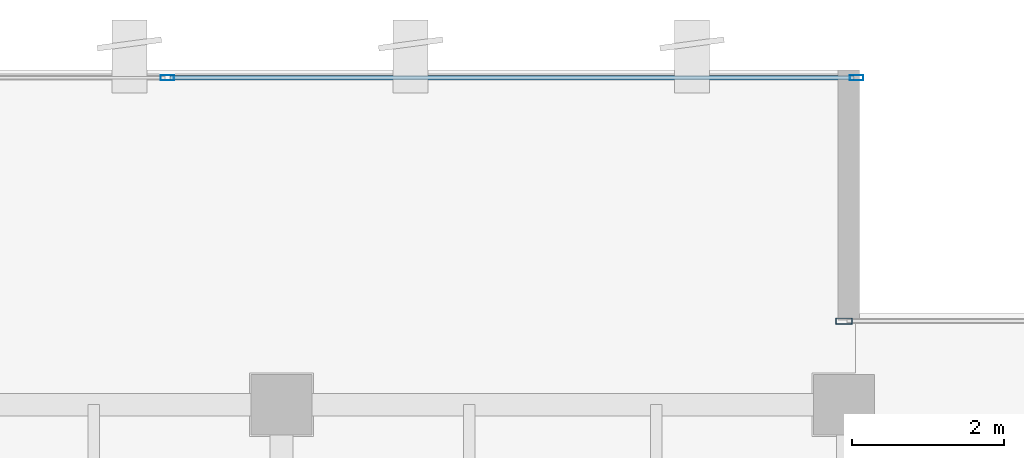
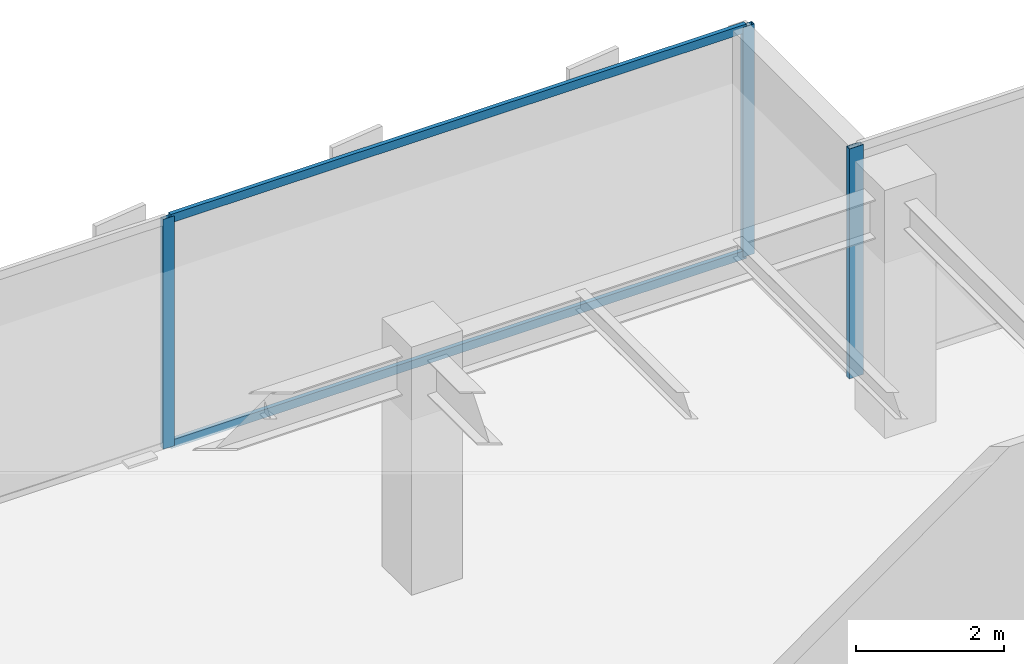
# One storey, part 21 of 36: 5 members, 2 elements without a shape of their own.
"""IFC4 building model written with IfcOpenShell, lengths in metres."""

from ifc_helpers import new_model, si_unit, direction, frame, origin, origin_2d, place, context, subcontext, project, spatial, hollow_rectangle, extrude, source, transform, mapped, material, layer, layer_set, material_profile, profile_set, type_object, type_shapes, element, aggregate, save


model = new_model("IFC4")

# Units and contexts
model_context = context("Model", 3, precision=1e-05, world=origin(), true_north=direction((0.0, 1.0)))
body_context = subcontext(model_context, "Body", "Model", "MODEL_VIEW")
ifc_project = project(units=[si_unit("LENGTHUNIT", "METRE"), si_unit("AREAUNIT", "SQUARE_METRE"), si_unit("VOLUMEUNIT", "CUBIC_METRE"), si_unit("PLANEANGLEUNIT", "RADIAN"), si_unit("MASSUNIT", "GRAM", prefix="KILO")], contexts=[model_context])

# Site, building, storey
site_placement = place(None, origin())
site = spatial("IfcSite", under=ifc_project, at=site_placement, CompositionType="ELEMENT")
building_placement = place(site_placement, origin())
building = spatial("IfcBuilding", under=site, at=building_placement, Name="Haelvirn Gate Laboratories", CompositionType="ELEMENT")
storey_placement = place(building_placement, frame((0.0, 0.0, 242.39990234375)))
storey = spatial("IfcBuildingStorey", under=building, at=storey_placement, Name="L58", CompositionType="ELEMENT", Elevation=242.39990234375)

# Curtain wall, members
ifc_material_1 = material(Name="Anodised bronze unitised aluminium & triple low-E glass", Category="aluminium")
ifc_layer_1 = layer(ifc_material_1, 0.176025390625, Name="CW-SYS-4")
ifc_layer_set_1 = layer_set([ifc_layer_1], Name="Anodised bronze unitised aluminium & triple low-E glass")
curtain_wall_type_1 = type_object("IfcCurtainWallType", Name="CW-SYS-4", PredefinedType="NOTDEFINED", material=ifc_layer_set_1)
curtain_wall_1_placement = place(storey_placement, origin())
curtain_wall_1 = element("IfcCurtainWall", 1, at=curtain_wall_1_placement, inside=storey, type_object=curtain_wall_type_1, Name="L58 Unitised Curtain Wall CW-L58-P0-E10-1", PredefinedType="NOTDEFINED")
ifc_material_2 = material(Name="Extruded aluminium 6063-T6 (anodised bronze)", Category="aluminium")
ifc_material_profile_1 = material_profile(ifc_material_2, hollow_rectangle(XDim=0.06494140625, YDim=0.139892578125, WallThickness=0.00390625, at=origin_2d()), Name="CWT-140x65x4")
ifc_profile_set_1 = profile_set([ifc_material_profile_1], Name="Extruded aluminium 6063-T6 (anodised bronze)")
member_type_1 = type_object("IfcMemberType", Name="CWT-T140", PredefinedType="USERDEFINED", material=ifc_profile_set_1)
shared_shape_1 = source(origin(), body_context, "Body", "SweptSolid", [
    extrude(hollow_rectangle(XDim=0.06494140625, YDim=0.139892578125, WallThickness=0.00390625, at=origin_2d()), origin(), (0.0, 0.0, 1.0), 8.9951171875),
])
type_shapes(member_type_1, [shared_shape_1])
member_1_placement = place(storey_placement, frame((58.534912109375, 45.89990234375, 0.03271484375), z_axis=(1.0, 0.0, 0.0), x_axis=(0.0, 1.0, 0.0)))
member_1 = element("IfcMember", 2, at=member_1_placement, type_object=member_type_1, Name="CW4 transom 2.1", ObjectType="TRANSOM", PredefinedType="USERDEFINED", context=body_context, shape_type="MappedRepresentation", body=[
    mapped(shared_shape_1, transform((0.0, 0.0, 0.0), scale=1.0)),
])
member_2_placement = place(storey_placement, frame((58.534912109375, 45.89990234375, 3.767578125), z_axis=(1.0, 0.0, 0.0), x_axis=(0.0, 1.0, 0.0)))
member_2 = element("IfcMember", 3, at=member_2_placement, type_object=member_type_1, Name="CW4 transom 2.2", ObjectType="TRANSOM", PredefinedType="USERDEFINED", context=body_context, shape_type="MappedRepresentation", body=[
    mapped(shared_shape_1, transform((0.0, 0.0, 0.0), scale=1.0)),
])
ifc_material_profile_2 = material_profile(ifc_material_2, hollow_rectangle(XDim=0.070068359375, YDim=0.179931640625, WallThickness=0.0048828125, at=origin_2d()), Name="CWM-180x70x5")
ifc_profile_set_2 = profile_set([ifc_material_profile_2], Name="Extruded aluminium 6063-T6 (anodised bronze)")
member_type_2 = type_object("IfcMemberType", Name="CWM-T180", PredefinedType="MULLION", material=ifc_profile_set_2)
shared_shape_2 = source(origin(), body_context, "Body", "SweptSolid", [
    extrude(hollow_rectangle(XDim=0.070068359375, YDim=0.179931640625, WallThickness=0.0048828125, at=origin_2d()), origin(), (0.0, 0.0, 1.0), 3.800048828125),
])
type_shapes(member_type_2, [shared_shape_2])
member_3_placement = place(storey_placement, frame((58.5, 45.89990234375, 0.0), z_axis=(0.0, 0.0, 1.0), x_axis=(0.0, 1.0, 0.0)))
member_3 = element("IfcMember", 4, at=member_3_placement, type_object=member_type_2, Name="CW4 mullion 2", PredefinedType="MULLION", context=body_context, shape_type="MappedRepresentation", body=[
    mapped(shared_shape_2, transform((0.0, 0.0, 0.0), scale=1.0)),
])
member_4_placement = place(storey_placement, frame((67.56494140625, 45.89990234375, 0.0), z_axis=(0.0, 0.0, 1.0), x_axis=(0.0, 1.0, 0.0)))
member_4 = element("IfcMember", 5, at=member_4_placement, type_object=member_type_2, Name="CW4 mullion 3", PredefinedType="MULLION", context=body_context, shape_type="MappedRepresentation", body=[
    mapped(shared_shape_2, transform((0.0, 0.0, 0.0), scale=1.0)),
])
aggregate(curtain_wall_1, [member_3, member_4, member_1, member_2])

# Curtain wall, member
ifc_layer_2 = layer(ifc_material_1, 0.181884765625, Name="CW-SYS-5")
ifc_layer_set_2 = layer_set([ifc_layer_2], Name="Anodised bronze unitised aluminium & triple low-E glass")
curtain_wall_type_2 = type_object("IfcCurtainWallType", Name="CW-SYS-5", PredefinedType="NOTDEFINED", material=ifc_layer_set_2)
curtain_wall_2_placement = place(storey_placement, origin())
curtain_wall_2 = element("IfcCurtainWall", 6, at=curtain_wall_2_placement, inside=storey, type_object=curtain_wall_type_2, Name="L58 Unitised Curtain Wall CW-L58-P0-E08-1", PredefinedType="NOTDEFINED")
ifc_material_profile_3 = material_profile(ifc_material_2, hollow_rectangle(XDim=0.080078125, YDim=0.219970703125, WallThickness=0.006103515625, at=origin_2d()), Name="CWM-220x80x6")
ifc_profile_set_3 = profile_set([ifc_material_profile_3], Name="Extruded aluminium 6063-T6 (anodised bronze)")
member_type_3 = type_object("IfcMemberType", Name="CWM-T220", PredefinedType="MULLION", material=ifc_profile_set_3)
shared_shape_3 = source(origin(), body_context, "Body", "SweptSolid", [
    extrude(hollow_rectangle(XDim=0.080078125, YDim=0.219970703125, WallThickness=0.006103515625, at=origin_2d()), origin(), (0.0, 0.0, 1.0), 3.800048828125),
])
type_shapes(member_type_3, [shared_shape_3])
member_5_placement = place(storey_placement, frame((67.39990234375, 42.699951171875, 0.0), z_axis=(0.0, 0.0, 1.0), x_axis=(0.0, 1.0, 0.0)))
member_5 = element("IfcMember", 7, at=member_5_placement, type_object=member_type_3, Name="CW5 mullion 1", PredefinedType="MULLION", context=body_context, shape_type="MappedRepresentation", body=[
    mapped(shared_shape_3, transform((0.0, 0.0, 0.0), scale=1.0)),
])
aggregate(curtain_wall_2, [member_5])

save(model, "model.ifc")
